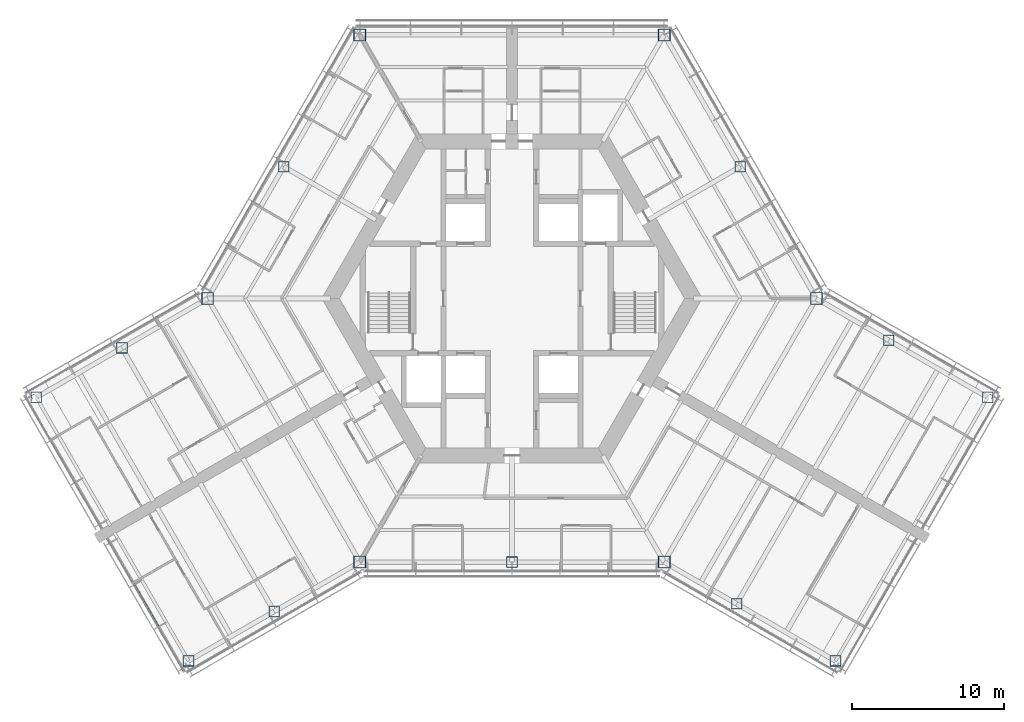
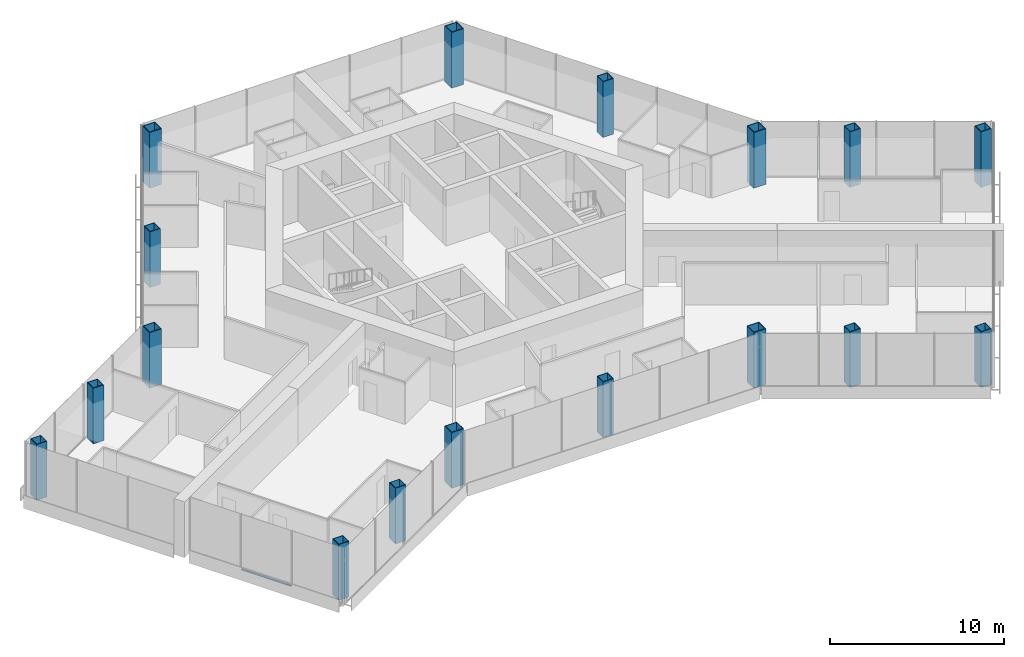
# One storey, part 1 of 18: 17 columns, 1 member, 1 element without a shape of its own.
"""IFC4 building model written with IfcOpenShell, lengths in metres."""

from ifc_helpers import new_model, si_unit, direction, frame, origin, origin_2d, place, context, subcontext, project, spatial, rectangle, hollow_rectangle, extrude, material, material_profile, profile_set, type_object, element, aggregate, save


model = new_model("IFC4")

# Units and contexts
model_context = context("Model", 3, precision=1e-05, world=origin(), true_north=direction((0.0, 1.0)))
body_context = subcontext(model_context, "Body", "Model", "MODEL_VIEW")
ifc_project = project(units=[si_unit("LENGTHUNIT", "METRE"), si_unit("AREAUNIT", "SQUARE_METRE"), si_unit("VOLUMEUNIT", "CUBIC_METRE"), si_unit("PLANEANGLEUNIT", "RADIAN"), si_unit("MASSUNIT", "GRAM", prefix="KILO")], contexts=[model_context])

# Site, building, storey
site_placement = place(None, origin())
site = spatial("IfcSite", under=ifc_project, at=site_placement, CompositionType="ELEMENT")
building_placement = place(site_placement, origin())
building = spatial("IfcBuilding", under=site, at=building_placement, Name="Kasaneha Research Tower", CompositionType="ELEMENT")
storey_placement = place(building_placement, frame((0.0, 0.0, 179.89990234375)))
storey = spatial("IfcBuildingStorey", under=building, at=storey_placement, Name="L45", CompositionType="ELEMENT", Elevation=179.89990234375)

# Columns
ifc_material_1 = material(Name="Steel SN490C", Category="steel")
ifc_material_profile_1 = material_profile(ifc_material_1, hollow_rectangle(XDim=0.800048828125, YDim=0.800048828125, WallThickness=0.044921875, at=origin_2d()), Name="BOX-800x800x45")
ifc_profile_set_1 = profile_set([ifc_material_profile_1], Name="Steel SN490C")
column_type_1 = type_object("IfcColumnType", Name="C3A column BOX-800x800x45", PredefinedType="COLUMN", material=ifc_profile_set_1)
for number, where, z_axis, x_axis, name in (
    (1, (20.0, 0.0, 0.0), (0.0, 0.0, 1.0), (1.0, 0.0, 0.0), "Column V0 L45"),
    (2, (10.0, 17.320556640625, 0.0), (0.0, 0.0, 1.0), (1.0, 0.0, 0.0), "Column V1 L45"),
    (3, (-10.0, 17.320556640625, 0.0), (0.0, 0.0, 1.0), (1.0, 0.0, 0.0), "Column V2 L45"),
    (4, (-20.0, 0.0, 0.0), (0.0, 0.0, 1.0), (1.0, 0.0, 0.0), "Column V3 L45"),
    (5, (-10.0, -17.320556640625, 0.0), (0.0, 0.0, 1.0), (1.0, 0.0, 0.0), "Column V4 L45"),
    (6, (10.0, -17.320556640625, 0.0), (0.0, 0.0, 1.0), (1.0, 0.0, 0.0), "Column V5 L45"),
):
    element("IfcColumn", number, at=place(storey_placement, frame(where, z_axis=z_axis, x_axis=x_axis)), inside=storey, type_object=column_type_1, Name=name, PredefinedType="COLUMN", context=body_context, shape_type="SweptSolid", body=[
        extrude(hollow_rectangle(XDim=0.800048828125, YDim=0.800048828125, WallThickness=0.044921875, at=origin_2d()), origin(), (0.0, 0.0, 1.0), 3.900146484375),
    ])
ifc_material_2 = material(Name="Steel SN490C", Category="steel")
ifc_material_profile_2 = material_profile(ifc_material_2, hollow_rectangle(XDim=0.699951171875, YDim=0.699951171875, WallThickness=0.035888671875, at=origin_2d()), Name="BOX-700x700x36")
ifc_profile_set_2 = profile_set([ifc_material_profile_2], Name="Steel SN490C")
column_type_2 = type_object("IfcColumnType", Name="C3B column BOX-700x700x36", PredefinedType="COLUMN", material=ifc_profile_set_2)
for number, where, z_axis, x_axis, name in (
    (7, (15.0, 8.66015625, 0.0), (0.0, 0.0, 1.0), (1.0, 0.0, 0.0), "Column M030 L45"),
    (8, (-15.0, 8.66015625, 0.0), (0.0, 0.0, 1.0), (1.0, 0.0, 0.0), "Column M150 L45"),
    (9, (0.0, -17.320556640625, 0.0), (0.0, 0.0, 1.0), (1.0, 0.0, 0.0), "Column M270 L45"),
    (10, (-25.629150390625, -3.25, 0.0), (0.0, 0.0, 1.0), (1.0, 0.0, 0.0), "Column BSP L45"),
    (11, (-31.25830078125, -6.5, 0.0), (0.0, 0.0, 1.0), (1.0, 0.0, 0.0), "Column BTP L45"),
    (12, (-15.629150390625, -20.570556640625, 0.0), (0.0, 0.0, 1.0), (1.0, 0.0, 0.0), "Column BSN L45"),
    (13, (-21.25830078125, -23.820556640625, 0.0), (0.0, 0.0, 1.0), (1.0, 0.0, 0.0), "Column BTN L45"),
    (14, (14.76318359375, -20.070556640625, 0.0), (0.0, 0.0, 1.0), (1.0, 0.0, 0.0), "Column CSP L45"),
    (15, (21.25830078125, -23.820556640625, 0.0), (0.0, 0.0, 1.0), (1.0, 0.0, 0.0), "Column CTP L45"),
    (16, (24.76318359375, -2.75, 0.0), (0.0, 0.0, 1.0), (1.0, 0.0, 0.0), "Column CSN L45"),
    (17, (31.25830078125, -6.5, 0.0), (0.0, 0.0, 1.0), (1.0, 0.0, 0.0), "Column CTN L45"),
):
    element("IfcColumn", number, at=place(storey_placement, frame(where, z_axis=z_axis, x_axis=x_axis)), inside=storey, type_object=column_type_2, Name=name, PredefinedType="COLUMN", context=body_context, shape_type="SweptSolid", body=[
        extrude(hollow_rectangle(XDim=0.699951171875, YDim=0.699951171875, WallThickness=0.035888671875, at=origin_2d()), origin(), (0.0, 0.0, 1.0), 3.900146484375),
    ])

# Curtain wall, member
ifc_material_3 = material(Name="Glass and aluminium", Category="aluminium")
curtain_wall_type = type_object("IfcCurtainWallType", Name="Mid-rise office curtain wall", PredefinedType="USERDEFINED", material=ifc_material_3)
curtain_wall_placement = place(storey_placement, origin())
curtain_wall = element("IfcCurtainWall", 18, at=curtain_wall_placement, inside=storey, type_object=curtain_wall_type, Name="CW-O2 L45 run 11a", ObjectType="UNITISED CURTAIN WALL", PredefinedType="USERDEFINED")
ifc_material_4 = material(Name="Aluminium 6063-T6", Category="aluminium")
ifc_material_profile_3 = material_profile(ifc_material_4, rectangle(XDim=0.110107421875, YDim=0.06005859375, at=origin_2d()), Name="CW-O2 transom 110x60")
ifc_profile_set_3 = profile_set([ifc_material_profile_3], Name="Aluminium 6063-T6")
member_type = type_object("IfcMemberType", Name="CW-O2 transom", PredefinedType="USERDEFINED", material=ifc_profile_set_3)
member_placement = place(storey_placement, frame((-24.896240234375, -18.719482421875, 0.030029296875), z_axis=(0.500010745865, -0.866019199568, 0.0), x_axis=(0.866019199568, 0.500010745865, 0.0)))
member = element("IfcMember", 19, at=member_placement, type_object=member_type, Name="CW-O2 transom 2", ObjectType="TRANSOM", PredefinedType="USERDEFINED", context=body_context, shape_type="SweptSolid", body=[
    extrude(rectangle(XDim=0.110107421875, YDim=0.06005859375, at=origin_2d()), origin(), (0.0, 0.0, 1.0), 3.3232421875),
])
aggregate(curtain_wall, [member])

save(model, "model.ifc")
